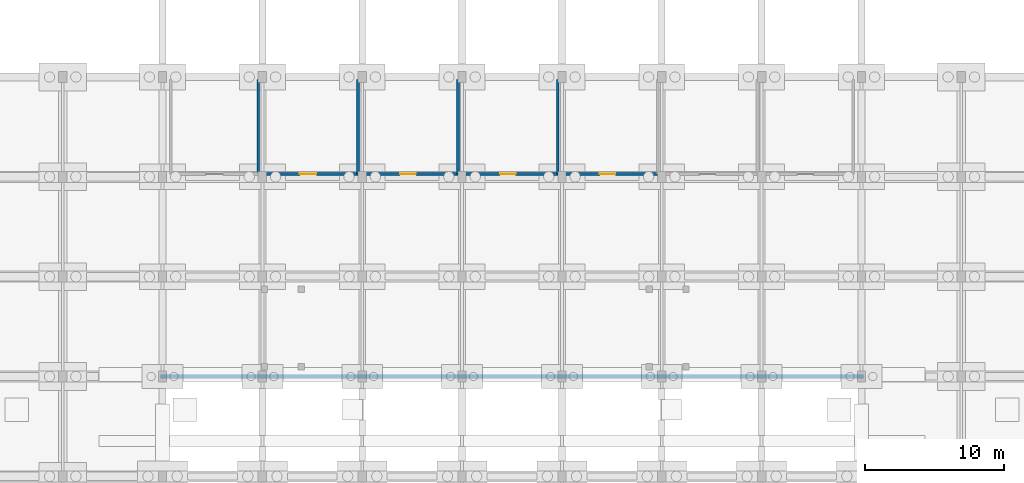
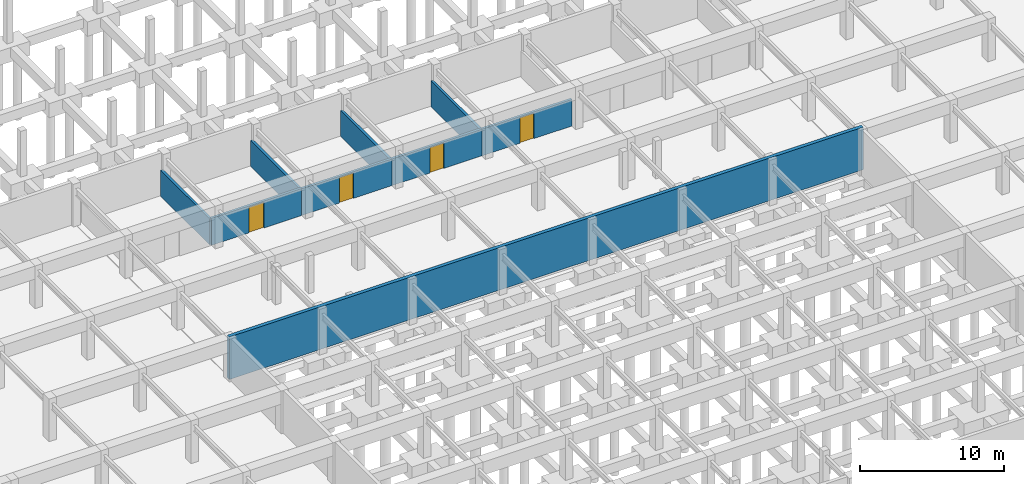
# One storey, part 27 of 36: 9 walls, 4 doors, 4 openings.
"""IFC4 building model written with IfcOpenShell, lengths in metres."""

from ifc_helpers import new_model, si_unit, direction, frame, frame_2d, origin, place, context, subcontext, project, spatial, rectangle, extrude, material, layer, layer_set, type_object, element, fill, save


model = new_model("IFC4")

# Units and contexts
model_context = context("Model", 3, precision=1e-05, world=origin(), true_north=direction((0.0, 1.0)))
body_context = subcontext(model_context, "Body", "Model", "MODEL_VIEW")
ifc_project = project(units=[si_unit("LENGTHUNIT", "METRE"), si_unit("AREAUNIT", "SQUARE_METRE"), si_unit("VOLUMEUNIT", "CUBIC_METRE"), si_unit("PLANEANGLEUNIT", "RADIAN"), si_unit("MASSUNIT", "GRAM", prefix="KILO")], contexts=[model_context])

# Site, building, storey
site_placement = place(None, origin())
site = spatial("IfcSite", under=ifc_project, at=site_placement, CompositionType="ELEMENT")
building_placement = place(site_placement, origin())
building = spatial("IfcBuilding", under=site, at=building_placement, Name="Ochrevale Crest", CompositionType="ELEMENT")
storey_placement = place(building_placement, frame((0.0, 0.0, -3.60009765625)))
storey = spatial("IfcBuildingStorey", under=building, at=storey_placement, Name="B1", CompositionType="ELEMENT", Elevation=-3.60009765625)

# Wall, opening, door
ifc_material_1 = material(Name="Core-filled masonry blockwork", Category="masonry")
ifc_layer_1 = layer(ifc_material_1, 0.195068359375)
ifc_layer_set_1 = layer_set([ifc_layer_1], Name="Core-filled masonry blockwork")
wall_type_1 = type_object("IfcWallType", Name="WL-PLNT-195", PredefinedType="PARTITIONING", material=ifc_layer_set_1)
wall_1_placement = place(storey_placement, frame((64.5, 86.60009765625, 0.0), z_axis=(0.0, 0.0, 1.0), x_axis=(1.0, 0.0, 0.0)))
wall_1 = element("IfcWall", 1, at=wall_1_placement, inside=storey, type_object=wall_type_1, Name="Resident Bicycle Store East front wall", PredefinedType="PARTITIONING", context=body_context, shape_type="SweptSolid", body=[
    extrude(rectangle(XDim=7.199951171875, YDim=0.195068359375, at=frame_2d((3.60009765625, 0.0))), origin(), (0.0, 0.0, 1.0), 2.280029296875),
])
opening_1_placement = place(wall_1_placement, frame((4.199951171875, 0.0, 0.0), z_axis=(0.0, 0.0, 1.0), x_axis=(-1.0, 0.0, 0.0)))
opening_1 = element("IfcOpeningElement", 2, at=opening_1_placement, cuts=wall_1, Name="Opening ID09", PredefinedType="OPENING", context=body_context, shape_type="SweptSolid", body=[
    extrude(rectangle(XDim=1.199951171875, YDim=2.179931640625, at=frame_2d((0.60009765625, 1.08984375))), frame((0.0, 0.107421875, 0.0), z_axis=(0.0, -1.0, 0.0), x_axis=(1.0, 0.0, 0.0)), (0.0, 0.0, 1.0), 0.215087890625),
])
ifc_material_2 = material(Name="Solid-core FSC hardwood", Category="wood")
door_type_1 = type_object("IfcDoorType", Name="DR-INT-1200", OperationType="NOTDEFINED", PredefinedType="DOOR", material=ifc_material_2)
door_1_placement = place(opening_1_placement, origin())
door_1 = element("IfcDoor", 3, at=door_1_placement, inside=storey, type_object=door_type_1, Name="Resident Bicycle Store East door", OperationType="SINGLE_SWING_RIGHT", OverallHeight=2.179931640625, OverallWidth=1.199951171875, PredefinedType="DOOR", context=body_context, shape_type="SweptSolid", body=[
    extrude(rectangle(XDim=1.199951171875, YDim=2.179931640625, at=frame_2d((0.60009765625, 1.08984375))), frame((0.0, 0.02490234375, 0.0), z_axis=(0.0, -1.0, 0.0), x_axis=(1.0, 0.0, 0.0)), (0.0, 0.0, 1.0), 0.050048828125),
])
fill(opening_1, door_1)

wall_2_placement = place(storey_placement, frame((71.699951171875, 86.60009765625, 0.0), z_axis=(0.0, 0.0, 1.0), x_axis=(1.0, 0.0, 0.0)))
wall_2 = element("IfcWall", 4, at=wall_2_placement, inside=storey, type_object=wall_type_1, Name="Main Electrical Substation front wall", PredefinedType="PARTITIONING", context=body_context, shape_type="SweptSolid", body=[
    extrude(rectangle(XDim=7.199951171875, YDim=0.195068359375, at=frame_2d((3.60009765625, 0.0))), origin(), (0.0, 0.0, 1.0), 2.25),
])
opening_2_placement = place(wall_2_placement, frame((3.0400390625, 0.0, 0.0)))
opening_2 = element("IfcOpeningElement", 5, at=opening_2_placement, cuts=wall_2, Name="Opening FD04", PredefinedType="OPENING", context=body_context, shape_type="SweptSolid", body=[
    extrude(rectangle(XDim=1.1201171875, YDim=2.14990234375, at=frame_2d((0.56005859375, 1.074951171875))), frame((0.0, 0.107421875, 0.0), z_axis=(0.0, -1.0, 0.0), x_axis=(1.0, 0.0, 0.0)), (0.0, 0.0, 1.0), 0.215087890625),
])
door_type_2 = type_object("IfcDoorType", Name="DR-FD-1100", OperationType="NOTDEFINED", PredefinedType="DOOR", material=ifc_material_2)
door_2_placement = place(opening_2_placement, origin())
door_2 = element("IfcDoor", 6, at=door_2_placement, inside=storey, type_object=door_type_2, Name="Main Electrical Substation door", OperationType="SINGLE_SWING_LEFT", OverallHeight=2.14990234375, OverallWidth=1.1201171875, PredefinedType="DOOR", context=body_context, shape_type="SweptSolid", body=[
    extrude(rectangle(XDim=1.1201171875, YDim=2.14990234375, at=frame_2d((0.56005859375, 1.074951171875))), frame((0.0, 0.02490234375, 0.0), z_axis=(0.0, -1.0, 0.0), x_axis=(1.0, 0.0, 0.0)), (0.0, 0.0, 1.0), 0.050048828125),
])
fill(opening_2, door_2)

wall_3_placement = place(storey_placement, frame((78.89990234375, 86.60009765625, 0.0), z_axis=(0.0, 0.0, 1.0), x_axis=(1.0, 0.0, 0.0)))
wall_3 = element("IfcWall", 7, at=wall_3_placement, inside=storey, type_object=wall_type_1, Name="Main Low-Voltage Switchroom front wall", PredefinedType="PARTITIONING", context=body_context, shape_type="SweptSolid", body=[
    extrude(rectangle(XDim=7.2001953125, YDim=0.195068359375, at=frame_2d((3.60009765625, 0.0))), origin(), (0.0, 0.0, 1.0), 2.25),
])
opening_3_placement = place(wall_3_placement, frame((4.16015625, 0.0, 0.0), z_axis=(0.0, 0.0, 1.0), x_axis=(-1.0, 0.0, 0.0)))
opening_3 = element("IfcOpeningElement", 8, at=opening_3_placement, cuts=wall_3, Name="Opening FD04", PredefinedType="OPENING", context=body_context, shape_type="SweptSolid", body=[
    extrude(rectangle(XDim=1.1201171875, YDim=2.14990234375, at=frame_2d((0.56005859375, 1.074951171875))), frame((0.0, 0.107421875, 0.0), z_axis=(0.0, -1.0, 0.0), x_axis=(1.0, 0.0, 0.0)), (0.0, 0.0, 1.0), 0.215087890625),
])
door_3_placement = place(opening_3_placement, origin())
door_3 = element("IfcDoor", 9, at=door_3_placement, inside=storey, type_object=door_type_2, Name="Main Low-Voltage Switchroom door", OperationType="SINGLE_SWING_RIGHT", OverallHeight=2.14990234375, OverallWidth=1.1201171875, PredefinedType="DOOR", context=body_context, shape_type="SweptSolid", body=[
    extrude(rectangle(XDim=1.1201171875, YDim=2.14990234375, at=frame_2d((0.56005859375, 1.074951171875))), frame((0.0, 0.02490234375, 0.0), z_axis=(0.0, -1.0, 0.0), x_axis=(1.0, 0.0, 0.0)), (0.0, 0.0, 1.0), 0.050048828125),
])
fill(opening_3, door_3)

wall_4_placement = place(storey_placement, frame((86.10009765625, 86.60009765625, 0.0), z_axis=(0.0, 0.0, 1.0), x_axis=(1.0, 0.0, 0.0)))
wall_4 = element("IfcWall", 10, at=wall_4_placement, inside=storey, type_object=wall_type_1, Name="Fire Sprinkler and Hydrant Pump Room front wall", PredefinedType="PARTITIONING", context=body_context, shape_type="SweptSolid", body=[
    extrude(rectangle(XDim=7.199951171875, YDim=0.195068359375, at=frame_2d((3.60009765625, 0.0))), origin(), (0.0, 0.0, 1.0), 2.25),
])
opening_4_placement = place(wall_4_placement, frame((3.0400390625, 0.0, 0.0)))
opening_4 = element("IfcOpeningElement", 11, at=opening_4_placement, cuts=wall_4, Name="Opening FD04", PredefinedType="OPENING", context=body_context, shape_type="SweptSolid", body=[
    extrude(rectangle(XDim=1.1201171875, YDim=2.14990234375, at=frame_2d((0.56005859375, 1.074951171875))), frame((0.0, 0.107421875, 0.0), z_axis=(0.0, -1.0, 0.0), x_axis=(1.0, 0.0, 0.0)), (0.0, 0.0, 1.0), 0.215087890625),
])
door_4_placement = place(opening_4_placement, origin())
door_4 = element("IfcDoor", 12, at=door_4_placement, inside=storey, type_object=door_type_2, Name="Fire Sprinkler and Hydrant Pump Room door", OperationType="SINGLE_SWING_LEFT", OverallHeight=2.14990234375, OverallWidth=1.1201171875, PredefinedType="DOOR", context=body_context, shape_type="SweptSolid", body=[
    extrude(rectangle(XDim=1.1201171875, YDim=2.14990234375, at=frame_2d((0.56005859375, 1.074951171875))), frame((0.0, 0.02490234375, 0.0), z_axis=(0.0, -1.0, 0.0), x_axis=(1.0, 0.0, 0.0)), (0.0, 0.0, 1.0), 0.050048828125),
])
fill(opening_4, door_4)

# Walls
for number, where, z_axis, x_axis, name in (
    (13, (64.5, 86.60009765625, 0.0), (0.0, 0.0, 1.0), (0.0, 1.0, 0.0), "B1 plant divider wall 1"),
    (14, (71.699951171875, 86.60009765625, 0.0), (0.0, 0.0, 1.0), (0.0, 1.0, 0.0), "B1 plant divider wall 2"),
    (15, (78.89990234375, 86.60009765625, 0.0), (0.0, 0.0, 1.0), (0.0, 1.0, 0.0), "B1 plant divider wall 3"),
    (16, (86.10009765625, 86.60009765625, 0.0), (0.0, 0.0, 1.0), (0.0, 1.0, 0.0), "B1 plant divider wall 4"),
):
    element("IfcWall", number, at=place(storey_placement, frame(where, z_axis=z_axis, x_axis=x_axis)), inside=storey, type_object=wall_type_1, Name=name, PredefinedType="PARTITIONING", context=body_context, shape_type="SweptSolid", body=[
        extrude(rectangle(XDim=6.7998046875, YDim=0.195068359375, at=frame_2d((3.39990234375, 0.0))), origin(), (0.0, 0.0, 1.0), 2.2001953125),
    ])
ifc_material_3 = material(Name="Concrete C40/50", Category="concrete")
ifc_layer_2 = layer(ifc_material_3, 0.284912109375)
ifc_layer_set_2 = layer_set([ifc_layer_2], Name="Concrete C40/50")
wall_type_2 = type_object("IfcWallType", Name="WL-RET-285", PredefinedType="USERDEFINED", material=ifc_layer_set_2)
wall_5_placement = place(storey_placement, frame((57.45751953125, 72.0, 0.0), z_axis=(0.0, 0.0, 1.0), x_axis=(1.0, 0.0, 0.0)))
element("IfcWall", 17, at=wall_5_placement, inside=storey, type_object=wall_type_2, Name="B1 Concrete C40/50 retaining wall CW-N", ObjectType="RETAININGWALL", PredefinedType="USERDEFINED", context=body_context, shape_type="SweptSolid", body=[
    extrude(rectangle(XDim=50.68505859375, YDim=0.284912109375, at=frame_2d((25.342529296875, 0.0))), origin(), (0.0, 0.0, 1.0), 3.60009765625),
])

save(model, "model.ifc")
